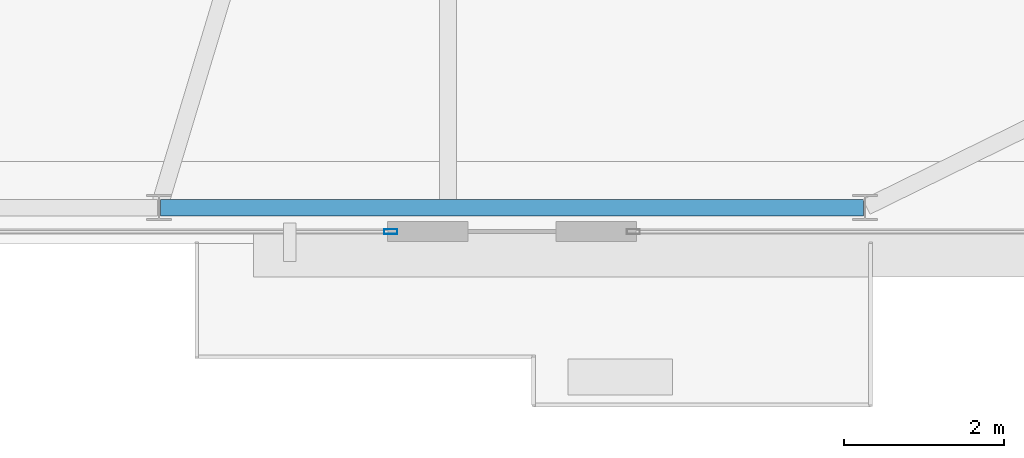
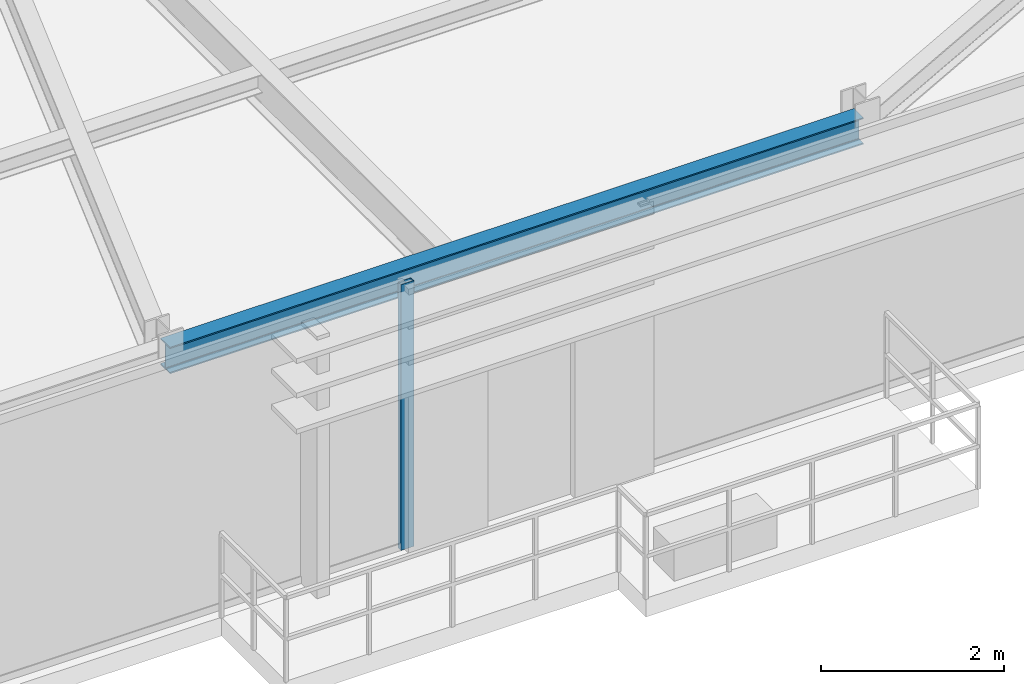
# One storey, part 7 of 24: 1 beam, 1 member, 1 element without a shape of its own.
"""IFC4 building model written with IfcOpenShell, lengths in metres."""

from ifc_helpers import new_model, si_unit, direction, frame, origin, origin_2d, place, context, subcontext, project, spatial, hollow_rectangle, i_section, extrude, source, transform, mapped, material, layer, layer_set, material_profile, profile_set, type_object, type_shapes, element, aggregate, save


model = new_model("IFC4")

# Units and contexts
model_context = context("Model", 3, precision=1e-05, world=origin(), true_north=direction((0.0, 1.0)))
body_context = subcontext(model_context, "Body", "Model", "MODEL_VIEW")
ifc_project = project(units=[si_unit("LENGTHUNIT", "METRE"), si_unit("AREAUNIT", "SQUARE_METRE"), si_unit("VOLUMEUNIT", "CUBIC_METRE"), si_unit("PLANEANGLEUNIT", "RADIAN"), si_unit("MASSUNIT", "GRAM", prefix="KILO")], contexts=[model_context])

# Site, building, storey
site_placement = place(None, origin())
site = spatial("IfcSite", under=ifc_project, at=site_placement, CompositionType="ELEMENT")
building_placement = place(site_placement, origin())
building = spatial("IfcBuilding", under=site, at=building_placement, Name="Varnel Quay Broadcast Tower", CompositionType="ELEMENT")
storey_placement = place(building_placement, frame((0.0, 0.0, 281.199951171875)))
storey = spatial("IfcBuildingStorey", under=building, at=storey_placement, Name="L70", CompositionType="ELEMENT", Elevation=281.199951171875)

# Beam
ifc_material_1 = material(Name="Structural Steel CSA G40.21 350W", Category="steel")
ifc_material_profile_1 = material_profile(ifc_material_1, i_section(OverallWidth=0.205078125, OverallDepth=0.35400390625, WebThickness=0.009521484375, FlangeThickness=0.016845703125, FilletRadius=0.012939453125, at=origin_2d()), Name="W360X79")
ifc_profile_set_1 = profile_set([ifc_material_profile_1], Name="Structural Steel CSA G40.21 350W")
beam_type = type_object("IfcBeamType", Name="Beam_W360X79", PredefinedType="SPANDREL", material=ifc_profile_set_1)
shared_shape_1 = source(origin(), body_context, "Body", "SweptSolid", [
    extrude(i_section(OverallWidth=0.205078125, OverallDepth=0.35400390625, WebThickness=0.009521484375, FlangeThickness=0.016845703125, FilletRadius=0.012939453125, at=origin_2d()), origin(), (0.0, 0.0, 1.0), 8.760009765625),
])
type_shapes(beam_type, [shared_shape_1])
beam_placement = place(storey_placement, frame((38.419921875, 13.64990234375, 3.373046875), z_axis=(1.0, 0.0, 0.0), x_axis=(0.0, 1.0, 0.0)))
element("IfcBeam", 1, at=beam_placement, inside=storey, type_object=beam_type, Name="L70 South Spandrel TC-S3-TC-S4", PredefinedType="SPANDREL", context=body_context, shape_type="MappedRepresentation", body=[
    mapped(shared_shape_1, transform((0.0, 0.0, 0.0), x_axis=(1.0, 0.0, 0.0), y_axis=(0.0, 1.0, 0.0), z_axis=(0.0, 0.0, 1.0), scale=1.0)),
])

# Curtain wall, member
ifc_material_2 = material(Name="Anodised Bronze Aluminium 6063-T6", Category="aluminium")
ifc_layer = layer(ifc_material_2, 0.18994140625, Name="Anodised Bronze Aluminium 6063-T6")
ifc_layer_set = layer_set([ifc_layer], Name="Anodised Bronze Aluminium 6063-T6")
curtain_wall_type = type_object("IfcCurtainWallType", Name="CW_UpperTower", PredefinedType="NOTDEFINED", material=ifc_layer_set)
curtain_wall_placement = place(storey_placement, origin())
curtain_wall = element("IfcCurtainWall", 2, at=curtain_wall_placement, inside=storey, type_object=curtain_wall_type, Name="L70 South Unitised Curtain Wall 2", PredefinedType="NOTDEFINED")
ifc_material_profile_2 = material_profile(ifc_material_2, hollow_rectangle(XDim=0.06494140625, YDim=0.1650390625, WallThickness=0.00341796875, at=origin_2d()), Name="ALU65X165X3.5")
ifc_profile_set_2 = profile_set([ifc_material_profile_2], Name="Anodised Bronze Aluminium 6063-T6")
member_type = type_object("IfcMemberType", Name="Mull_CWS-03", PredefinedType="MULLION", material=ifc_profile_set_2)
shared_shape_2 = source(origin(), body_context, "Body", "SweptSolid", [
    extrude(hollow_rectangle(XDim=0.06494140625, YDim=0.1650390625, WallThickness=0.00341796875, at=origin_2d()), origin(), (0.0, 0.0, 1.0), 3.550048828125),
])
type_shapes(member_type, [shared_shape_2])
member_placement = place(storey_placement, frame((41.28759765625, 13.35009765625, 0.0), z_axis=(0.0, 0.0, 1.0), x_axis=(0.0, 1.0, 0.0)))
member = element("IfcMember", 3, at=member_placement, type_object=member_type, Name="CWS-03 mullion 2", PredefinedType="MULLION", context=body_context, shape_type="MappedRepresentation", body=[
    mapped(shared_shape_2, transform((0.0, 0.0, 0.0), x_axis=(1.0, 0.0, 0.0), y_axis=(0.0, 1.0, 0.0), z_axis=(0.0, 0.0, 1.0), scale=1.0)),
])
aggregate(curtain_wall, [member])

save(model, "model.ifc")
